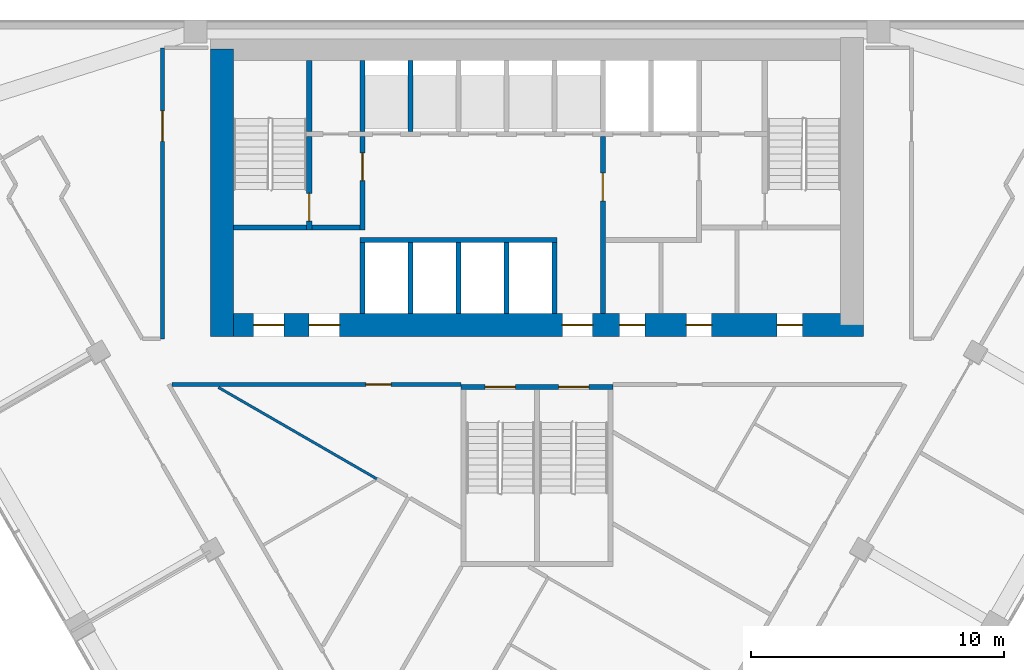
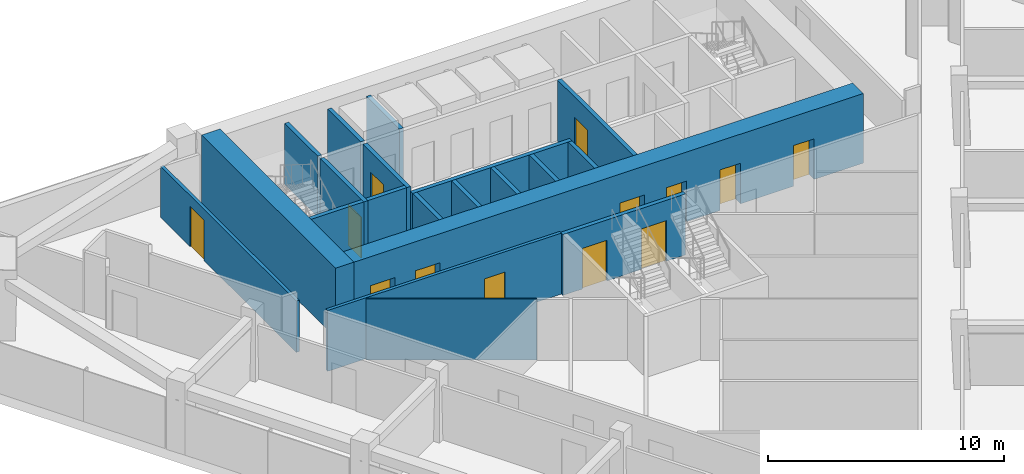
# One storey, part 10 of 14: 20 walls, 13 doors, 13 openings.
"""IFC4 building model written with IfcOpenShell, lengths in metres."""

from ifc_helpers import new_model, si_unit, direction, frame, frame_2d, origin, place, context, subcontext, project, spatial, rectangle, extrude, material, layer, layer_set, type_object, element, fill, save


model = new_model("IFC4")

# Units and contexts
model_context = context("Model", 3, precision=1e-05, world=origin(), true_north=direction((0.0, 1.0)))
body_context = subcontext(model_context, "Body", "Model", "MODEL_VIEW")
ifc_project = project(units=[si_unit("LENGTHUNIT", "METRE"), si_unit("AREAUNIT", "SQUARE_METRE"), si_unit("VOLUMEUNIT", "CUBIC_METRE"), si_unit("PLANEANGLEUNIT", "RADIAN"), si_unit("MASSUNIT", "GRAM", prefix="KILO")], contexts=[model_context])

# Site, building, storey
site_placement = place(None, origin())
site = spatial("IfcSite", under=ifc_project, at=site_placement, CompositionType="ELEMENT")
building_placement = place(site_placement, origin())
building = spatial("IfcBuilding", under=site, at=building_placement, Name="Altiplano Prism Tower", CompositionType="ELEMENT")
storey_placement = place(building_placement, frame((0.0, 0.0, 115.199951171875)))
storey = spatial("IfcBuildingStorey", under=building, at=storey_placement, Name="L29", CompositionType="ELEMENT", Elevation=115.199951171875)

# Wall, openings, doors
ifc_material_1 = material(Name="Concrete C70/85", Category="concrete")
ifc_layer_1 = layer(ifc_material_1, 0.89990234375)
ifc_layer_set_1 = layer_set([ifc_layer_1], Name="Concrete C70/85")
wall_type_1 = type_object("IfcWallType", Name="Core wall 900", PredefinedType="SHEAR", material=ifc_layer_set_1)
wall_1_placement = place(storey_placement, frame((72.550048828125, 92.949951171875, 0.0), z_axis=(0.0, 0.0, 1.0), x_axis=(1.0, 0.0, 0.0)))
wall_1 = element("IfcWall", 1, at=wall_1_placement, inside=storey, type_object=wall_type_1, Name="Core wall S L29", PredefinedType="SHEAR", context=body_context, shape_type="SweptSolid", body=[
    extrude(rectangle(XDim=25.349853515625, YDim=0.89990234375, at=frame_2d((12.6748046875, 0.0))), origin(), (0.0, 0.0, 1.0), 3.60009765625),
])
opening_1_placement = place(wall_1_placement, frame((1.25, 0.0, 0.0)))
opening_1 = element("IfcOpeningElement", 2, at=opening_1_placement, cuts=wall_1, Name="Opening D2977", PredefinedType="OPENING", context=body_context, shape_type="SweptSolid", body=[
    extrude(rectangle(XDim=1.199951171875, YDim=2.10009765625, at=frame_2d((0.60009765625, 1.050048828125))), frame((0.0, 0.46044921875, 0.0), z_axis=(0.0, -1.0, 0.0), x_axis=(1.0, 0.0, 0.0)), (0.0, 0.0, 1.0), 0.9208984375),
])
opening_2_placement = place(wall_1_placement, frame((3.449951171875, 0.0, 0.0)))
opening_2 = element("IfcOpeningElement", 3, at=opening_2_placement, cuts=wall_1, Name="Opening D2978", PredefinedType="OPENING", context=body_context, shape_type="SweptSolid", body=[
    extrude(rectangle(XDim=1.199951171875, YDim=2.10009765625, at=frame_2d((0.60009765625, 1.050048828125))), frame((0.0, 0.46044921875, 0.0), z_axis=(0.0, -1.0, 0.0), x_axis=(1.0, 0.0, 0.0)), (0.0, 0.0, 1.0), 0.9208984375),
])
opening_3_placement = place(wall_1_placement, frame((13.449951171875, 0.0, 0.0)))
opening_3 = element("IfcOpeningElement", 4, at=opening_3_placement, cuts=wall_1, Name="Opening D2979", PredefinedType="OPENING", context=body_context, shape_type="SweptSolid", body=[
    extrude(rectangle(XDim=1.199951171875, YDim=2.10009765625, at=frame_2d((0.60009765625, 1.050048828125))), frame((0.0, 0.46044921875, 0.0), z_axis=(0.0, -1.0, 0.0), x_axis=(1.0, 0.0, 0.0)), (0.0, 0.0, 1.0), 0.9208984375),
])
opening_4_placement = place(wall_1_placement, frame((15.71240234375, 0.0, 0.0)))
opening_4 = element("IfcOpeningElement", 5, at=opening_4_placement, cuts=wall_1, Name="Opening D2982", PredefinedType="OPENING", context=body_context, shape_type="SweptSolid", body=[
    extrude(rectangle(XDim=1.0, YDim=2.10009765625, at=frame_2d((0.5, 1.050048828125))), frame((0.0, 0.46044921875, 0.0), z_axis=(0.0, -1.0, 0.0), x_axis=(1.0, 0.0, 0.0)), (0.0, 0.0, 1.0), 0.9208984375),
])
opening_5_placement = place(wall_1_placement, frame((18.35009765625, 0.0, 0.0)))
opening_5 = element("IfcOpeningElement", 6, at=opening_5_placement, cuts=wall_1, Name="Opening D2983", PredefinedType="OPENING", context=body_context, shape_type="SweptSolid", body=[
    extrude(rectangle(XDim=1.0, YDim=2.10009765625, at=frame_2d((0.5, 1.050048828125))), frame((0.0, 0.46044921875, 0.0), z_axis=(0.0, -1.0, 0.0), x_axis=(1.0, 0.0, 0.0)), (0.0, 0.0, 1.0), 0.9208984375),
])
opening_6_placement = place(wall_1_placement, frame((21.9375, 0.0, 0.0)))
opening_6 = element("IfcOpeningElement", 7, at=opening_6_placement, cuts=wall_1, Name="Opening D2984", PredefinedType="OPENING", context=body_context, shape_type="SweptSolid", body=[
    extrude(rectangle(XDim=1.0, YDim=2.10009765625, at=frame_2d((0.5, 1.050048828125))), frame((0.0, 0.46044921875, 0.0), z_axis=(0.0, -1.0, 0.0), x_axis=(1.0, 0.0, 0.0)), (0.0, 0.0, 1.0), 0.9208984375),
])
ifc_material_2 = material(Name="Fire-rated steel door", Category="steel")
door_type_1 = type_object("IfcDoorType", Name="Core room door 1000 x 2100", OperationType="NOTDEFINED", PredefinedType="NOTDEFINED", material=ifc_material_2)
door_1_placement = place(opening_4_placement, origin())
door_1 = element("IfcDoor", 8, at=door_1_placement, inside=storey, type_object=door_type_1, Name="Core room door D2982", OperationType="SINGLE_SWING_RIGHT", OverallHeight=2.10009765625, OverallWidth=1.0, PredefinedType="NOTDEFINED", context=body_context, shape_type="SweptSolid", body=[
    extrude(rectangle(XDim=1.0, YDim=2.10009765625, at=frame_2d((0.5, 1.050048828125))), frame((0.0, 0.02490234375, 0.0), z_axis=(0.0, -1.0, 0.0), x_axis=(1.0, 0.0, 0.0)), (0.0, 0.0, 1.0), 0.050048828125),
])
fill(opening_4, door_1)
door_2_placement = place(opening_5_placement, origin())
door_2 = element("IfcDoor", 9, at=door_2_placement, inside=storey, type_object=door_type_1, Name="Core room door D2983", OperationType="SINGLE_SWING_LEFT", OverallHeight=2.10009765625, OverallWidth=1.0, PredefinedType="NOTDEFINED", context=body_context, shape_type="SweptSolid", body=[
    extrude(rectangle(XDim=1.0, YDim=2.10009765625, at=frame_2d((0.5, 1.050048828125))), frame((0.0, 0.02490234375, 0.0), z_axis=(0.0, -1.0, 0.0), x_axis=(1.0, 0.0, 0.0)), (0.0, 0.0, 1.0), 0.050048828125),
])
fill(opening_5, door_2)
door_3_placement = place(opening_6_placement, origin())
door_3 = element("IfcDoor", 10, at=door_3_placement, inside=storey, type_object=door_type_1, Name="Core room door D2984", OperationType="SINGLE_SWING_RIGHT", OverallHeight=2.10009765625, OverallWidth=1.0, PredefinedType="NOTDEFINED", context=body_context, shape_type="SweptSolid", body=[
    extrude(rectangle(XDim=1.0, YDim=2.10009765625, at=frame_2d((0.5, 1.050048828125))), frame((0.0, 0.02490234375, 0.0), z_axis=(0.0, -1.0, 0.0), x_axis=(1.0, 0.0, 0.0)), (0.0, 0.0, 1.0), 0.050048828125),
])
fill(opening_6, door_3)
door_type_2 = type_object("IfcDoorType", Name="Lobby fire door 1200 x 2100", OperationType="NOTDEFINED", PredefinedType="NOTDEFINED", material=ifc_material_2)
door_4_placement = place(opening_1_placement, origin())
door_4 = element("IfcDoor", 11, at=door_4_placement, inside=storey, type_object=door_type_2, Name="Lobby fire door D2977", OperationType="SINGLE_SWING_RIGHT", OverallHeight=2.10009765625, OverallWidth=1.199951171875, PredefinedType="NOTDEFINED", context=body_context, shape_type="SweptSolid", body=[
    extrude(rectangle(XDim=1.199951171875, YDim=2.10009765625, at=frame_2d((0.60009765625, 1.050048828125))), frame((0.0, 0.02490234375, 0.0), z_axis=(0.0, -1.0, 0.0), x_axis=(1.0, 0.0, 0.0)), (0.0, 0.0, 1.0), 0.050048828125),
])
fill(opening_1, door_4)
door_5_placement = place(opening_2_placement, origin())
door_5 = element("IfcDoor", 12, at=door_5_placement, inside=storey, type_object=door_type_2, Name="Lobby fire door D2978", OperationType="SINGLE_SWING_LEFT", OverallHeight=2.10009765625, OverallWidth=1.199951171875, PredefinedType="NOTDEFINED", context=body_context, shape_type="SweptSolid", body=[
    extrude(rectangle(XDim=1.199951171875, YDim=2.10009765625, at=frame_2d((0.60009765625, 1.050048828125))), frame((0.0, 0.02490234375, 0.0), z_axis=(0.0, -1.0, 0.0), x_axis=(1.0, 0.0, 0.0)), (0.0, 0.0, 1.0), 0.050048828125),
])
fill(opening_2, door_5)
door_6_placement = place(opening_3_placement, origin())
door_6 = element("IfcDoor", 13, at=door_6_placement, inside=storey, type_object=door_type_2, Name="Lobby fire door D2979", OperationType="SINGLE_SWING_RIGHT", OverallHeight=2.10009765625, OverallWidth=1.199951171875, PredefinedType="NOTDEFINED", context=body_context, shape_type="SweptSolid", body=[
    extrude(rectangle(XDim=1.199951171875, YDim=2.10009765625, at=frame_2d((0.60009765625, 1.050048828125))), frame((0.0, 0.02490234375, 0.0), z_axis=(0.0, -1.0, 0.0), x_axis=(1.0, 0.0, 0.0)), (0.0, 0.0, 1.0), 0.050048828125),
])
fill(opening_3, door_6)

# Walls
wall_2_placement = place(storey_placement, frame((72.550048828125, 103.85009765625, 0.0), z_axis=(0.0, 0.0, 1.0), x_axis=(0.0, -1.0, 0.0)))
element("IfcWall", 14, at=wall_2_placement, inside=storey, type_object=wall_type_1, Name="Core wall W L29", PredefinedType="SHEAR", context=body_context, shape_type="SweptSolid", body=[
    extrude(rectangle(XDim=11.35009765625, YDim=0.89990234375, at=frame_2d((5.675048828125, 0.0))), origin(), (0.0, 0.0, 1.0), 3.60009765625),
])
ifc_material_3 = material(Name="Plasterboard on steel stud", Category="steel")
ifc_layer_2 = layer(ifc_material_3, 0.10009765625)
ifc_layer_set_2 = layer_set([ifc_layer_2], Name="Plasterboard on steel stud")
wall_type_2 = type_object("IfcWallType", Name="Partition 100 wet", PredefinedType="PARTITIONING", material=ifc_layer_set_2)
wall_3_placement = place(storey_placement, frame((72.409912109375, 90.4814453125, 0.0), z_axis=(0.0, 0.0, 1.0), x_axis=(0.866026390924, -0.49999829022, 0.0)))
element("IfcWall", 15, at=wall_3_placement, inside=storey, type_object=wall_type_2, Name="Partition P03 L29 052", PredefinedType="PARTITIONING", context=body_context, shape_type="SweptSolid", body=[
    extrude(rectangle(XDim=7.2529296875, YDim=0.10009765625, at=frame_2d((3.62646484375, 0.0))), origin(), (0.0, 0.0, 1.0), 3.150146484375),
])

# Wall, opening, door
ifc_layer_3 = layer(ifc_material_3, 0.14990234375)
ifc_layer_set_3 = layer_set([ifc_layer_3], Name="Plasterboard on steel stud")
wall_type_3 = type_object("IfcWallType", Name="Partition 150 corridor", PredefinedType="PARTITIONING", material=ifc_layer_set_3)
wall_4_placement = place(storey_placement, frame((70.199951171875, 103.89990234375, 0.0), z_axis=(0.0, 0.0, 1.0), x_axis=(0.0, -1.0, 0.0)))
wall_4 = element("IfcWall", 16, at=wall_4_placement, inside=storey, type_object=wall_type_3, Name="Partition P06 L29 018", PredefinedType="PARTITIONING", context=body_context, shape_type="SweptSolid", body=[
    extrude(rectangle(XDim=11.5, YDim=0.14990234375, at=frame_2d((5.75, 0.0))), origin(), (0.0, 0.0, 1.0), 2.650146484375),
])
opening_7_placement = place(wall_4_placement, frame((2.4951171875, 0.0, 0.0)))
opening_7 = element("IfcOpeningElement", 17, at=opening_7_placement, cuts=wall_4, Name="Opening D1060", PredefinedType="OPENING", context=body_context, shape_type="SweptSolid", body=[
    extrude(rectangle(XDim=1.199951171875, YDim=2.10009765625, at=frame_2d((0.60009765625, 1.050048828125))), frame((0.0, 0.08544921875, 0.0), z_axis=(0.0, -1.0, 0.0), x_axis=(1.0, 0.0, 0.0)), (0.0, 0.0, 1.0), 0.1708984375),
])
ifc_material_4 = material(Name="Timber", Category="wood")
door_type_3 = type_object("IfcDoorType", Name="Shared room door 1200 x 2100", OperationType="NOTDEFINED", PredefinedType="NOTDEFINED", material=ifc_material_4)
door_7_placement = place(opening_7_placement, origin())
door_7 = element("IfcDoor", 18, at=door_7_placement, inside=storey, type_object=door_type_3, Name="Door D1060", OperationType="SINGLE_SWING_RIGHT", OverallHeight=2.10009765625, OverallWidth=1.199951171875, PredefinedType="NOTDEFINED", context=body_context, shape_type="SweptSolid", body=[
    extrude(rectangle(XDim=1.199951171875, YDim=2.10009765625, at=frame_2d((0.60009765625, 1.050048828125))), frame((0.0, 0.02490234375, 0.0), z_axis=(0.0, -1.0, 0.0), x_axis=(1.0, 0.0, 0.0)), (0.0, 0.0, 1.0), 0.050048828125),
])
fill(opening_7, door_7)

wall_5_placement = place(storey_placement, frame((70.57421875, 90.60009765625, 0.0), z_axis=(0.0, 0.0, 1.0), x_axis=(0.999999996347, -8.5470085e-05, 0.0)))
wall_5 = element("IfcWall", 19, at=wall_5_placement, inside=storey, type_object=wall_type_3, Name="Partition P06 L29 024", PredefinedType="PARTITIONING", context=body_context, shape_type="SweptSolid", body=[
    extrude(rectangle(XDim=11.42578125, YDim=0.14990234375, at=frame_2d((5.712890625, 0.0))), origin(), (0.0, 0.0, 1.0), 3.150146484375),
])
opening_8_placement = place(wall_5_placement, frame((7.660888671875, 0.0, 0.0)))
opening_8 = element("IfcOpeningElement", 20, at=opening_8_placement, cuts=wall_5, Name="Opening D1063", PredefinedType="OPENING", context=body_context, shape_type="SweptSolid", body=[
    extrude(rectangle(XDim=1.0, YDim=2.10009765625, at=frame_2d((0.5, 1.050048828125))), frame((0.0, 0.08544921875, 0.0), z_axis=(0.0, -1.0, 0.0), x_axis=(1.0, 0.0, 0.0)), (0.0, 0.0, 1.0), 0.1708984375),
])
door_type_4 = type_object("IfcDoorType", Name="Store door 1000 x 2100", OperationType="NOTDEFINED", PredefinedType="NOTDEFINED", material=ifc_material_4)
door_8_placement = place(opening_8_placement, origin())
door_8 = element("IfcDoor", 21, at=door_8_placement, inside=storey, type_object=door_type_4, Name="Door D1063", OperationType="SINGLE_SWING_RIGHT", OverallHeight=2.10009765625, OverallWidth=1.0, PredefinedType="NOTDEFINED", context=body_context, shape_type="SweptSolid", body=[
    extrude(rectangle(XDim=1.0, YDim=2.10009765625, at=frame_2d((0.5, 1.050048828125))), frame((0.0, 0.02490234375, 0.0), z_axis=(0.0, -1.0, 0.0), x_axis=(1.0, 0.0, 0.0)), (0.0, 0.0, 1.0), 0.050048828125),
])
fill(opening_8, door_8)

# Walls
ifc_material_5 = material(Name="Concrete C60/75", Category="concrete")
ifc_layer_4 = layer(ifc_material_5, 0.199951171875)
ifc_layer_set_4 = layer_set([ifc_layer_4], Name="Concrete C60/75")
wall_type_4 = type_object("IfcWallType", Name="Shaft wall 200", PredefinedType="SOLIDWALL", material=ifc_layer_set_4)
for number, where, z_axis, x_axis, name in (
    (22, (78.10009765625, 93.39990234375, 0.0), (0.0, 0.0, 1.0), (0.0, 1.0, 0.0), "Shaft wall L29"),
    (23, (80.0, 93.39990234375, 0.0), (0.0, 0.0, 1.0), (0.0, 1.0, 0.0), "Shaft wall L29"),
    (24, (81.89990234375, 93.39990234375, 0.0), (0.0, 0.0, 1.0), (0.0, 1.0, 0.0), "Shaft wall L29"),
    (25, (83.800048828125, 93.39990234375, 0.0), (0.0, 0.0, 1.0), (0.0, 1.0, 0.0), "Shaft wall L29"),
    (26, (85.699951171875, 93.39990234375, 0.0), (0.0, 0.0, 1.0), (0.0, 1.0, 0.0), "Shaft wall L29"),
):
    element("IfcWall", number, at=place(storey_placement, frame(where, z_axis=z_axis, x_axis=x_axis)), inside=storey, type_object=wall_type_4, Name=name, PredefinedType="SOLIDWALL", context=body_context, shape_type="SweptSolid", body=[
        extrude(rectangle(XDim=2.800048828125, YDim=0.199951171875, at=frame_2d((1.39990234375, 0.0))), origin(), (0.0, 0.0, 1.0), 3.150146484375),
    ])
wall_6_placement = place(storey_placement, frame((78.0, 96.300048828125, 0.0), z_axis=(0.0, 0.0, 1.0), x_axis=(1.0, 0.0, 0.0)))
element("IfcWall", 27, at=wall_6_placement, inside=storey, type_object=wall_type_4, Name="Shaft wall L29", PredefinedType="SOLIDWALL", context=body_context, shape_type="SweptSolid", body=[
    extrude(rectangle(XDim=7.800048828125, YDim=0.199951171875, at=frame_2d((3.89990234375, 0.0))), origin(), (0.0, 0.0, 1.0), 3.150146484375),
])
for number, where, z_axis, x_axis, name in (
    (28, (78.10009765625, 100.60009765625, 0.0), (0.0, 0.0, 1.0), (0.0, 1.0, 0.0), "Shaft wall L29"),
    (29, (80.0, 100.60009765625, 0.0), (0.0, 0.0, 1.0), (0.0, 1.0, 0.0), "Shaft wall L29"),
):
    element("IfcWall", number, at=place(storey_placement, frame(where, z_axis=z_axis, x_axis=x_axis)), inside=storey, type_object=wall_type_4, Name=name, PredefinedType="SOLIDWALL", context=body_context, shape_type="SweptSolid", body=[
        extrude(rectangle(XDim=2.7998046875, YDim=0.199951171875, at=frame_2d((1.39990234375, 0.0))), origin(), (0.0, 0.0, 1.0), 3.150146484375),
    ])
ifc_layer_5 = layer(ifc_material_5, 0.199951171875)
ifc_layer_set_5 = layer_set([ifc_layer_5], Name="Concrete C60/75")
wall_type_5 = type_object("IfcWallType", Name="Stair wall 200", PredefinedType="SOLIDWALL", material=ifc_layer_set_5)
wall_7_placement = place(storey_placement, frame((73.0, 96.800048828125, 0.0), z_axis=(0.0, 0.0, 1.0), x_axis=(1.0, 0.0, 0.0)))
element("IfcWall", 30, at=wall_7_placement, inside=storey, type_object=wall_type_5, Name="Stair wall L29", PredefinedType="SOLIDWALL", context=body_context, shape_type="SweptSolid", body=[
    extrude(rectangle(XDim=2.89990234375, YDim=0.199951171875, at=frame_2d((1.449951171875, 0.0))), origin(), (0.0, 0.0, 1.0), 3.150146484375),
])

# Wall, opening, door
wall_8_placement = place(storey_placement, frame((76.0, 96.699951171875, 0.0), z_axis=(0.0, 0.0, 1.0), x_axis=(0.0, 1.0, 0.0)))
wall_8 = element("IfcWall", 31, at=wall_8_placement, inside=storey, type_object=wall_type_5, Name="Stair wall L29", PredefinedType="SOLIDWALL", context=body_context, shape_type="SweptSolid", body=[
    extrude(rectangle(XDim=3.699951171875, YDim=0.199951171875, at=frame_2d((1.85009765625, 0.0))), origin(), (0.0, 0.0, 1.0), 3.150146484375),
])
opening_9_placement = place(wall_8_placement, frame((0.35009765625, 0.0, 0.0)))
opening_9 = element("IfcOpeningElement", 32, at=opening_9_placement, cuts=wall_8, Name="Opening D2972", PredefinedType="OPENING", context=body_context, shape_type="SweptSolid", body=[
    extrude(rectangle(XDim=1.10009765625, YDim=2.10009765625, at=frame_2d((0.550048828125, 1.050048828125))), frame((0.0, 0.1103515625, 0.0), z_axis=(0.0, -1.0, 0.0), x_axis=(1.0, 0.0, 0.0)), (0.0, 0.0, 1.0), 0.220947265625),
])
door_type_5 = type_object("IfcDoorType", Name="Stair fire door 1100 x 2100", OperationType="NOTDEFINED", PredefinedType="NOTDEFINED", material=ifc_material_2)
door_9_placement = place(opening_9_placement, origin())
door_9 = element("IfcDoor", 33, at=door_9_placement, inside=storey, type_object=door_type_5, Name="Stair fire door D2972", OperationType="SINGLE_SWING_RIGHT", OverallHeight=2.10009765625, OverallWidth=1.10009765625, PredefinedType="NOTDEFINED", context=body_context, shape_type="SweptSolid", body=[
    extrude(rectangle(XDim=1.10009765625, YDim=2.10009765625, at=frame_2d((0.550048828125, 1.050048828125))), frame((0.0, 0.02490234375, 0.0), z_axis=(0.0, -1.0, 0.0), x_axis=(1.0, 0.0, 0.0)), (0.0, 0.0, 1.0), 0.050048828125),
])
fill(opening_9, door_9)

# Wall
wall_9_placement = place(storey_placement, frame((76.0, 100.60009765625, 0.0), z_axis=(0.0, 0.0, 1.0), x_axis=(0.0, 1.0, 0.0)))
element("IfcWall", 34, at=wall_9_placement, inside=storey, type_object=wall_type_5, Name="Stair wall L29", PredefinedType="SOLIDWALL", context=body_context, shape_type="SweptSolid", body=[
    extrude(rectangle(XDim=2.7998046875, YDim=0.199951171875, at=frame_2d((1.39990234375, 0.0))), origin(), (0.0, 0.0, 1.0), 3.150146484375),
])

# Wall, openings, doors
wall_10_placement = place(storey_placement, frame((82.0, 90.5, 0.0), z_axis=(0.0, 0.0, 1.0), x_axis=(1.0, 0.0, 0.0)))
wall_10 = element("IfcWall", 35, at=wall_10_placement, inside=storey, type_object=wall_type_5, Name="Stair 3 wall north L29", PredefinedType="SOLIDWALL", context=body_context, shape_type="SweptSolid", body=[
    extrude(rectangle(XDim=6.0, YDim=0.199951171875, at=frame_2d((3.0, 0.0))), origin(), (0.0, 0.0, 1.0), 3.150146484375),
])
opening_10_placement = place(wall_10_placement, frame((0.949951171875, 0.0, 0.0)))
opening_10 = element("IfcOpeningElement", 36, at=opening_10_placement, cuts=wall_10, Name="Opening D3980", PredefinedType="OPENING", context=body_context, shape_type="SweptSolid", body=[
    extrude(rectangle(XDim=1.199951171875, YDim=2.10009765625, at=frame_2d((0.60009765625, 1.050048828125))), frame((0.0, 0.1103515625, 0.0), z_axis=(0.0, -1.0, 0.0), x_axis=(1.0, 0.0, 0.0)), (0.0, 0.0, 1.0), 0.220947265625),
])
opening_11_placement = place(wall_10_placement, frame((3.85009765625, 0.0, 0.0)))
opening_11 = element("IfcOpeningElement", 37, at=opening_11_placement, cuts=wall_10, Name="Opening D3981", PredefinedType="OPENING", context=body_context, shape_type="SweptSolid", body=[
    extrude(rectangle(XDim=1.199951171875, YDim=2.10009765625, at=frame_2d((0.60009765625, 1.050048828125))), frame((0.0, 0.1103515625, 0.0), z_axis=(0.0, -1.0, 0.0), x_axis=(1.0, 0.0, 0.0)), (0.0, 0.0, 1.0), 0.220947265625),
])
door_type_6 = type_object("IfcDoorType", Name="Stair fire door 1200 x 2100", OperationType="NOTDEFINED", PredefinedType="NOTDEFINED", material=ifc_material_2)
door_10_placement = place(opening_10_placement, origin())
door_10 = element("IfcDoor", 38, at=door_10_placement, inside=storey, type_object=door_type_6, Name="Stair fire door D3980", OperationType="SINGLE_SWING_LEFT", OverallHeight=2.10009765625, OverallWidth=1.199951171875, PredefinedType="NOTDEFINED", context=body_context, shape_type="SweptSolid", body=[
    extrude(rectangle(XDim=1.199951171875, YDim=2.10009765625, at=frame_2d((0.60009765625, 1.050048828125))), frame((0.0, 0.02490234375, 0.0), z_axis=(0.0, -1.0, 0.0), x_axis=(1.0, 0.0, 0.0)), (0.0, 0.0, 1.0), 0.050048828125),
])
fill(opening_10, door_10)
door_11_placement = place(opening_11_placement, origin())
door_11 = element("IfcDoor", 39, at=door_11_placement, inside=storey, type_object=door_type_6, Name="Stair fire door D3981", OperationType="SINGLE_SWING_LEFT", OverallHeight=2.10009765625, OverallWidth=1.199951171875, PredefinedType="NOTDEFINED", context=body_context, shape_type="SweptSolid", body=[
    extrude(rectangle(XDim=1.199951171875, YDim=2.10009765625, at=frame_2d((0.60009765625, 1.050048828125))), frame((0.0, 0.02490234375, 0.0), z_axis=(0.0, -1.0, 0.0), x_axis=(1.0, 0.0, 0.0)), (0.0, 0.0, 1.0), 0.050048828125),
])
fill(opening_11, door_11)

# Wall, opening, door
ifc_layer_6 = layer(ifc_material_5, 0.199951171875)
ifc_layer_set_6 = layer_set([ifc_layer_6], Name="Concrete C60/75")
wall_type_6 = type_object("IfcWallType", Name="Vestibule wall 200", PredefinedType="PARTITIONING", material=ifc_layer_set_6)
wall_11_placement = place(storey_placement, frame((87.60009765625, 93.39990234375, 0.0), z_axis=(0.0, 0.0, 1.0), x_axis=(0.0, 1.0, 0.0)))
wall_11 = element("IfcWall", 40, at=wall_11_placement, inside=storey, type_object=wall_type_6, Name="Vestibule wall L29", PredefinedType="PARTITIONING", context=body_context, shape_type="SweptSolid", body=[
    extrude(rectangle(XDim=7.0, YDim=0.199951171875, at=frame_2d((3.5, 0.0))), origin(), (0.0, 0.0, 1.0), 3.150146484375),
])
opening_12_placement = place(wall_11_placement, frame((4.449951171875, 0.0, 0.0)))
opening_12 = element("IfcOpeningElement", 41, at=opening_12_placement, cuts=wall_11, Name="Opening D2975", PredefinedType="OPENING", context=body_context, shape_type="SweptSolid", body=[
    extrude(rectangle(XDim=1.10009765625, YDim=2.10009765625, at=frame_2d((0.550048828125, 1.050048828125))), frame((0.0, 0.1103515625, 0.0), z_axis=(0.0, -1.0, 0.0), x_axis=(1.0, 0.0, 0.0)), (0.0, 0.0, 1.0), 0.220947265625),
])
door_type_7 = type_object("IfcDoorType", Name="Vestibule fire door 1100 x 2100", OperationType="NOTDEFINED", PredefinedType="NOTDEFINED", material=ifc_material_2)
door_12_placement = place(opening_12_placement, origin())
door_12 = element("IfcDoor", 42, at=door_12_placement, inside=storey, type_object=door_type_7, Name="Vestibule fire door D2975", OperationType="SINGLE_SWING_RIGHT", OverallHeight=2.10009765625, OverallWidth=1.10009765625, PredefinedType="NOTDEFINED", context=body_context, shape_type="SweptSolid", body=[
    extrude(rectangle(XDim=1.10009765625, YDim=2.10009765625, at=frame_2d((0.550048828125, 1.050048828125))), frame((0.0, 0.02490234375, 0.0), z_axis=(0.0, -1.0, 0.0), x_axis=(1.0, 0.0, 0.0)), (0.0, 0.0, 1.0), 0.050048828125),
])
fill(opening_12, door_12)

# Wall
wall_12_placement = place(storey_placement, frame((76.10009765625, 96.800048828125, 0.0), z_axis=(0.0, 0.0, 1.0), x_axis=(1.0, 0.0, 0.0)))
element("IfcWall", 43, at=wall_12_placement, inside=storey, type_object=wall_type_6, Name="Vestibule wall L29", PredefinedType="PARTITIONING", context=body_context, shape_type="SweptSolid", body=[
    extrude(rectangle(XDim=1.89990234375, YDim=0.199951171875, at=frame_2d((0.949951171875, 0.0))), origin(), (0.0, 0.0, 1.0), 3.150146484375),
])

# Wall, opening, door
wall_13_placement = place(storey_placement, frame((78.10009765625, 96.699951171875, 0.0), z_axis=(0.0, 0.0, 1.0), x_axis=(0.0, 1.0, 0.0)))
wall_13 = element("IfcWall", 44, at=wall_13_placement, inside=storey, type_object=wall_type_6, Name="Vestibule wall L29", PredefinedType="PARTITIONING", context=body_context, shape_type="SweptSolid", body=[
    extrude(rectangle(XDim=3.699951171875, YDim=0.199951171875, at=frame_2d((1.85009765625, 0.0))), origin(), (0.0, 0.0, 1.0), 3.150146484375),
])
opening_13_placement = place(wall_13_placement, frame((1.949951171875, 0.0, 0.0)))
opening_13 = element("IfcOpeningElement", 45, at=opening_13_placement, cuts=wall_13, Name="Opening D2974", PredefinedType="OPENING", context=body_context, shape_type="SweptSolid", body=[
    extrude(rectangle(XDim=1.10009765625, YDim=2.10009765625, at=frame_2d((0.550048828125, 1.050048828125))), frame((0.0, 0.1103515625, 0.0), z_axis=(0.0, -1.0, 0.0), x_axis=(1.0, 0.0, 0.0)), (0.0, 0.0, 1.0), 0.220947265625),
])
door_13_placement = place(opening_13_placement, origin())
door_13 = element("IfcDoor", 46, at=door_13_placement, inside=storey, type_object=door_type_7, Name="Vestibule fire door D2974", OperationType="SINGLE_SWING_LEFT", OverallHeight=2.10009765625, OverallWidth=1.10009765625, PredefinedType="NOTDEFINED", context=body_context, shape_type="SweptSolid", body=[
    extrude(rectangle(XDim=1.10009765625, YDim=2.10009765625, at=frame_2d((0.550048828125, 1.050048828125))), frame((0.0, 0.02490234375, 0.0), z_axis=(0.0, -1.0, 0.0), x_axis=(1.0, 0.0, 0.0)), (0.0, 0.0, 1.0), 0.050048828125),
])
fill(opening_13, door_13)

save(model, "model.ifc")
